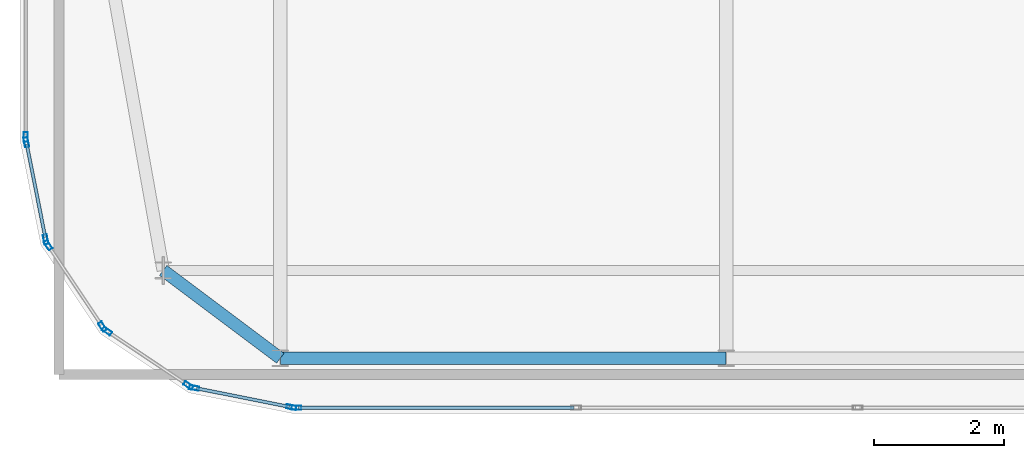
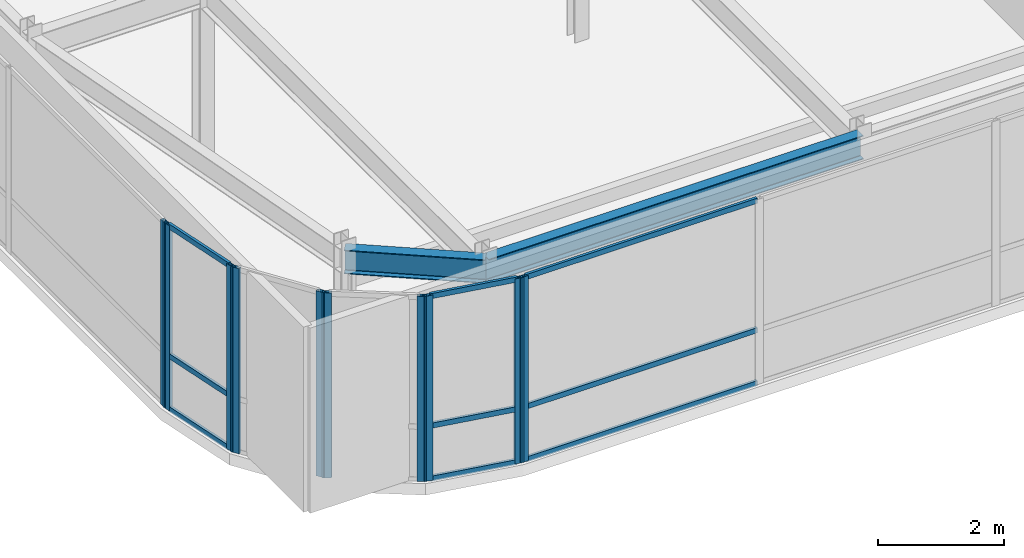
# One storey, part 5 of 36: 19 members, 2 beams, 6 elements without a shape of their own.
"""IFC4 building model written with IfcOpenShell, lengths in metres."""

from ifc_helpers import new_model, si_unit, direction, frame, origin, origin_2d, place, context, subcontext, project, spatial, hollow_rectangle, i_section, extrude, source, transform, mapped, material, layer, layer_set, material_profile, profile_set, type_object, type_shapes, element, aggregate, save


model = new_model("IFC4")

# Units and contexts
model_context = context("Model", 3, precision=1e-05, world=origin(), true_north=direction((0.0, 1.0)))
body_context = subcontext(model_context, "Body", "Model", "MODEL_VIEW")
ifc_project = project(units=[si_unit("LENGTHUNIT", "METRE"), si_unit("AREAUNIT", "SQUARE_METRE"), si_unit("VOLUMEUNIT", "CUBIC_METRE"), si_unit("PLANEANGLEUNIT", "RADIAN"), si_unit("MASSUNIT", "GRAM", prefix="KILO")], contexts=[model_context])

# Site, building, storey
site_placement = place(None, origin())
site = spatial("IfcSite", under=ifc_project, at=site_placement, CompositionType="ELEMENT")
building_placement = place(site_placement, origin())
building = spatial("IfcBuilding", under=site, at=building_placement, Name="Tolvann Quenvar Hotel", CompositionType="ELEMENT")
storey_placement = place(building_placement, frame((0.0, 0.0, 298.550048828125)))
storey = spatial("IfcBuildingStorey", under=building, at=storey_placement, Name="L79", CompositionType="ELEMENT", Elevation=298.550048828125)

# Beams
ifc_material_1 = material(Name="Steel Grade 350", Category="steel")
ifc_material_profile_1 = material_profile(ifc_material_1, i_section(OverallWidth=0.19091796875, OverallDepth=0.4599609375, WebThickness=0.010009765625, FlangeThickness=0.01611328125, FilletRadius=0.011474609375, at=origin_2d()), Name="460UB82")
ifc_profile_set_1 = profile_set([ifc_material_profile_1], Name="Steel Grade 350")
beam_type = type_object("IfcBeamType", Name="BM_SPAND_460UB82", PredefinedType="SPANDREL", material=ifc_profile_set_1)
shared_shape_1 = source(origin(), body_context, "Body", "SweptSolid", [
    extrude(i_section(OverallWidth=0.19091796875, OverallDepth=0.4599609375, WebThickness=0.010009765625, FlangeThickness=0.01611328125, FilletRadius=0.011474609375, at=origin_2d()), origin(), (0.0, 0.0, 1.0), 6.849853515625),
])
beam_1_placement = place(storey_placement, frame((7.60009765625, 7.050048828125, 3.349853515625), z_axis=(1.0, 0.0, 0.0), x_axis=(0.0, 1.0, 0.0)))
element("IfcBeam", 1, at=beam_1_placement, inside=storey, type_object=beam_type, Name="BM-L79-EW-2-C2-D2", PredefinedType="SPANDREL", context=body_context, shape_type="MappedRepresentation", body=[
    mapped(shared_shape_1, transform((0.0, 0.0, 0.0), x_axis=(1.0, 0.0, 0.0), y_axis=(0.0, 1.0, 0.0), z_axis=(0.0, 0.0, 1.0), scale=1.0)),
])
shared_shape_2 = source(origin(), body_context, "Body", "SweptSolid", [
    extrude(i_section(OverallWidth=0.19091796875, OverallDepth=0.4599609375, WebThickness=0.010009765625, FlangeThickness=0.01611328125, FilletRadius=0.011474609375, at=origin_2d()), origin(), (0.0, 0.0, 1.0), 2.25),
])
type_shapes(beam_type, [shared_shape_1, shared_shape_2])
beam_2_placement = place(storey_placement, frame((5.800048828125, 8.39990234375, 3.349853515625), z_axis=(0.800039061652, -0.599947914265, 0.0), x_axis=(0.599947914265, 0.800039061652, 0.0)))
element("IfcBeam", 2, at=beam_2_placement, inside=storey, type_object=beam_type, Name="BM-L79-EW-2-B2-C2", PredefinedType="SPANDREL", context=body_context, shape_type="MappedRepresentation", body=[
    mapped(shared_shape_2, transform((0.0, 0.0, 0.0), x_axis=(1.0, 0.0, 0.0), y_axis=(0.0, 1.0, 0.0), z_axis=(0.0, 0.0, 1.0), scale=1.0)),
])

# Curtain wall, members
ifc_material_2 = material(Name="Thermally broken anodised architectural aluminium 6063-T6 and laminated low-E glass", Category="aluminium")
ifc_layer = layer(ifc_material_2, 0.179931640625)
ifc_layer_set = layer_set([ifc_layer], Name="Thermally broken anodised architectural aluminium 6063-T6 and laminated low-E glass")
curtain_wall_type = type_object("IfcCurtainWallType", Name="CW_SYS_LANT_06", PredefinedType="USERDEFINED", material=ifc_layer_set)
curtain_wall_1_placement = place(storey_placement, origin())
curtain_wall_1 = element("IfcCurtainWall", 3, at=curtain_wall_1_placement, inside=storey, type_object=curtain_wall_type, Name="Curtain Wall CW-LANT-06 (CWR-L79-E03)", ObjectType="UNITISED CURTAIN WALL", PredefinedType="USERDEFINED")
ifc_material_3 = material(Name="Anodised architectural aluminium 6063-T6 framing", Category="aluminium")
ifc_material_profile_2 = material_profile(ifc_material_3, hollow_rectangle(XDim=0.050048828125, YDim=0.10009765625, WallThickness=0.0029296875, at=origin_2d()), Name="100x50x3RHS")
ifc_profile_set_2 = profile_set([ifc_material_profile_2], Name="Anodised architectural aluminium 6063-T6 framing")
member_type_1 = type_object("IfcMemberType", Name="CW_TRAN_100x50", PredefinedType="USERDEFINED", material=ifc_profile_set_2)
shared_shape_3 = source(origin(), body_context, "Body", "SweptSolid", [
    extrude(hollow_rectangle(XDim=0.050048828125, YDim=0.10009765625, WallThickness=0.0029296875, at=origin_2d()), origin(), (0.0, 0.0, 1.0), 1.456787109375),
])
member_1_placement = place(storey_placement, frame((6.30810546875, 6.58837890625, 0.02490234375), z_axis=(0.980786408364, -0.195084651288, 0.0), x_axis=(0.195084651288, 0.980786408364, 0.0)))
member_1 = element("IfcMember", 4, at=member_1_placement, type_object=member_type_1, Name="CW-LANT-06 transom 1.1", ObjectType="TRANSOM", PredefinedType="USERDEFINED", context=body_context, shape_type="MappedRepresentation", body=[
    mapped(shared_shape_3, transform((0.0, 0.0, 0.0), x_axis=(1.0, 0.0, 0.0), y_axis=(0.0, 1.0, 0.0), z_axis=(0.0, 0.0, 1.0), scale=1.0)),
])
member_2_placement = place(storey_placement, frame((6.30810546875, 6.58837890625, 1.050048828125), z_axis=(0.980786408364, -0.195084651288, 0.0), x_axis=(0.195084651288, 0.980786408364, 0.0)))
member_2 = element("IfcMember", 5, at=member_2_placement, type_object=member_type_1, Name="CW-LANT-06 transom 1.2", ObjectType="TRANSOM", PredefinedType="USERDEFINED", context=body_context, shape_type="MappedRepresentation", body=[
    mapped(shared_shape_3, transform((0.0, 0.0, 0.0), x_axis=(1.0, 0.0, 0.0), y_axis=(0.0, 1.0, 0.0), z_axis=(0.0, 0.0, 1.0), scale=1.0)),
])
member_3_placement = place(storey_placement, frame((6.30810546875, 6.58837890625, 3.554931640625), z_axis=(0.980786408364, -0.195084651288, 0.0), x_axis=(0.195084651288, 0.980786408364, 0.0)))
member_3 = element("IfcMember", 6, at=member_3_placement, type_object=member_type_1, Name="CW-LANT-06 transom 1.3", ObjectType="TRANSOM", PredefinedType="USERDEFINED", context=body_context, shape_type="MappedRepresentation", body=[
    mapped(shared_shape_3, transform((0.0, 0.0, 0.0), x_axis=(1.0, 0.0, 0.0), y_axis=(0.0, 1.0, 0.0), z_axis=(0.0, 0.0, 1.0), scale=1.0)),
])

curtain_wall_2_placement = place(storey_placement, origin())
curtain_wall_2 = element("IfcCurtainWall", 7, at=curtain_wall_2_placement, inside=storey, type_object=curtain_wall_type, Name="Curtain Wall CW-LANT-06 (CWR-L79-E20)", ObjectType="UNITISED CURTAIN WALL", PredefinedType="USERDEFINED")
member_4_placement = place(storey_placement, frame((3.704345703125, 10.3369140625, 0.02490234375), z_axis=(0.195084651288, -0.980786408364, 0.0), x_axis=(0.980786408364, 0.195084651288, 0.0)))
member_4 = element("IfcMember", 8, at=member_4_placement, type_object=member_type_1, Name="CW-LANT-06 transom 1.1", ObjectType="TRANSOM", PredefinedType="USERDEFINED", context=body_context, shape_type="MappedRepresentation", body=[
    mapped(shared_shape_3, transform((0.0, 0.0, 0.0), x_axis=(1.0, 0.0, 0.0), y_axis=(0.0, 1.0, 0.0), z_axis=(0.0, 0.0, 1.0), scale=1.0)),
])
member_5_placement = place(storey_placement, frame((3.704345703125, 10.3369140625, 1.050048828125), z_axis=(0.195084651288, -0.980786408364, 0.0), x_axis=(0.980786408364, 0.195084651288, 0.0)))
member_5 = element("IfcMember", 9, at=member_5_placement, type_object=member_type_1, Name="CW-LANT-06 transom 1.2", ObjectType="TRANSOM", PredefinedType="USERDEFINED", context=body_context, shape_type="MappedRepresentation", body=[
    mapped(shared_shape_3, transform((0.0, 0.0, 0.0), x_axis=(1.0, 0.0, 0.0), y_axis=(0.0, 1.0, 0.0), z_axis=(0.0, 0.0, 1.0), scale=1.0)),
])
member_6_placement = place(storey_placement, frame((3.704345703125, 10.3369140625, 3.554931640625), z_axis=(0.195084651288, -0.980786408364, 0.0), x_axis=(0.980786408364, 0.195084651288, 0.0)))
member_6 = element("IfcMember", 10, at=member_6_placement, type_object=member_type_1, Name="CW-LANT-06 transom 1.3", ObjectType="TRANSOM", PredefinedType="USERDEFINED", context=body_context, shape_type="MappedRepresentation", body=[
    mapped(shared_shape_3, transform((0.0, 0.0, 0.0), x_axis=(1.0, 0.0, 0.0), y_axis=(0.0, 1.0, 0.0), z_axis=(0.0, 0.0, 1.0), scale=1.0)),
])

curtain_wall_3_placement = place(storey_placement, origin())
curtain_wall_3 = element("IfcCurtainWall", 11, at=curtain_wall_3_placement, inside=storey, type_object=curtain_wall_type, Name="Curtain Wall CW-LANT-06 (CWR-L79-E04)", ObjectType="UNITISED CURTAIN WALL", PredefinedType="USERDEFINED")
shared_shape_4 = source(origin(), body_context, "Body", "SweptSolid", [
    extrude(hollow_rectangle(XDim=0.050048828125, YDim=0.10009765625, WallThickness=0.0029296875, at=origin_2d()), origin(), (0.0, 0.0, 1.0), 4.230224609375),
])
type_shapes(member_type_1, [shared_shape_3, shared_shape_4])
member_7_placement = place(storey_placement, frame((7.882080078125, 6.2900390625, 0.02490234375), z_axis=(1.0, 0.0, 0.0), x_axis=(0.0, 1.0, 0.0)))
member_7 = element("IfcMember", 12, at=member_7_placement, type_object=member_type_1, Name="CW-LANT-06 transom 1.1", ObjectType="TRANSOM", PredefinedType="USERDEFINED", context=body_context, shape_type="MappedRepresentation", body=[
    mapped(shared_shape_4, transform((0.0, 0.0, 0.0), x_axis=(1.0, 0.0, 0.0), y_axis=(0.0, 1.0, 0.0), z_axis=(0.0, 0.0, 1.0), scale=1.0)),
])
member_8_placement = place(storey_placement, frame((7.882080078125, 6.2900390625, 1.050048828125), z_axis=(1.0, 0.0, 0.0), x_axis=(0.0, 1.0, 0.0)))
member_8 = element("IfcMember", 13, at=member_8_placement, type_object=member_type_1, Name="CW-LANT-06 transom 1.2", ObjectType="TRANSOM", PredefinedType="USERDEFINED", context=body_context, shape_type="MappedRepresentation", body=[
    mapped(shared_shape_4, transform((0.0, 0.0, 0.0), x_axis=(1.0, 0.0, 0.0), y_axis=(0.0, 1.0, 0.0), z_axis=(0.0, 0.0, 1.0), scale=1.0)),
])
member_9_placement = place(storey_placement, frame((7.882080078125, 6.2900390625, 3.554931640625), z_axis=(1.0, 0.0, 0.0), x_axis=(0.0, 1.0, 0.0)))
member_9 = element("IfcMember", 14, at=member_9_placement, type_object=member_type_1, Name="CW-LANT-06 transom 1.3", ObjectType="TRANSOM", PredefinedType="USERDEFINED", context=body_context, shape_type="MappedRepresentation", body=[
    mapped(shared_shape_4, transform((0.0, 0.0, 0.0), x_axis=(1.0, 0.0, 0.0), y_axis=(0.0, 1.0, 0.0), z_axis=(0.0, 0.0, 1.0), scale=1.0)),
])

curtain_wall_4_placement = place(storey_placement, origin())
curtain_wall_4 = element("IfcCurtainWall", 15, at=curtain_wall_4_placement, inside=storey, type_object=curtain_wall_type, Name="Curtain Wall CW-LANT-06 (CWR-L79-E01)", ObjectType="UNITISED CURTAIN WALL", PredefinedType="USERDEFINED")
ifc_material_profile_3 = material_profile(ifc_material_3, hollow_rectangle(XDim=0.06494140625, YDim=0.14990234375, WallThickness=0.00390625, at=origin_2d()), Name="150x65x4RHS")
ifc_profile_set_3 = profile_set([ifc_material_profile_3], Name="Anodised architectural aluminium 6063-T6 framing")
member_type_2 = type_object("IfcMemberType", Name="CW_MULL_150x65", PredefinedType="MULLION", material=ifc_profile_set_3)
shared_shape_5 = source(origin(), body_context, "Body", "SweptSolid", [
    extrude(hollow_rectangle(XDim=0.06494140625, YDim=0.14990234375, WallThickness=0.00390625, at=origin_2d()), origin(), (0.0, 0.0, 1.0), 3.579833984375),
])
type_shapes(member_type_2, [shared_shape_5])
member_10_placement = place(storey_placement, frame((4.03173828125, 8.786865234375, 0.0), z_axis=(0.0, 0.0, 1.0), x_axis=(0.831412452193, 0.555655769644, 0.0)))
member_10 = element("IfcMember", 16, at=member_10_placement, type_object=member_type_2, Name="CW-LANT-06 mullion 1", PredefinedType="MULLION", context=body_context, shape_type="MappedRepresentation", body=[
    mapped(shared_shape_5, transform((0.0, 0.0, 0.0), x_axis=(1.0, 0.0, 0.0), y_axis=(0.0, 1.0, 0.0), z_axis=(0.0, 0.0, 1.0), scale=1.0)),
])
member_11_placement = place(storey_placement, frame((4.86767578125, 7.5361328125, 0.0), z_axis=(0.0, 0.0, 1.0), x_axis=(0.831412452193, 0.555655769644, 0.0)))
member_11 = element("IfcMember", 17, at=member_11_placement, type_object=member_type_2, Name="CW-LANT-06 mullion 2", PredefinedType="MULLION", context=body_context, shape_type="MappedRepresentation", body=[
    mapped(shared_shape_5, transform((0.0, 0.0, 0.0), x_axis=(1.0, 0.0, 0.0), y_axis=(0.0, 1.0, 0.0), z_axis=(0.0, 0.0, 1.0), scale=1.0)),
])
aggregate(curtain_wall_4, [member_10, member_11])

curtain_wall_5_placement = place(storey_placement, origin())
curtain_wall_5 = element("IfcCurtainWall", 18, at=curtain_wall_5_placement, inside=storey, type_object=curtain_wall_type, Name="Curtain Wall CW-LANT-06 (CWR-L79-E02)", ObjectType="UNITISED CURTAIN WALL", PredefinedType="USERDEFINED")
member_12_placement = place(storey_placement, frame((4.936279296875, 7.467529296875, 0.0), z_axis=(0.0, 0.0, 1.0), x_axis=(0.555655769644, 0.831412452193, 0.0)))
member_12 = element("IfcMember", 19, at=member_12_placement, type_object=member_type_2, Name="CW-LANT-06 mullion 1", PredefinedType="MULLION", context=body_context, shape_type="MappedRepresentation", body=[
    mapped(shared_shape_5, transform((0.0, 0.0, 0.0), x_axis=(1.0, 0.0, 0.0), y_axis=(0.0, 1.0, 0.0), z_axis=(0.0, 0.0, 1.0), scale=1.0)),
])
member_13_placement = place(storey_placement, frame((6.186767578125, 6.6318359375, 0.0), z_axis=(0.0, 0.0, 1.0), x_axis=(0.555655769644, 0.831412452193, 0.0)))
member_13 = element("IfcMember", 20, at=member_13_placement, type_object=member_type_2, Name="CW-LANT-06 mullion 2", PredefinedType="MULLION", context=body_context, shape_type="MappedRepresentation", body=[
    mapped(shared_shape_5, transform((0.0, 0.0, 0.0), x_axis=(1.0, 0.0, 0.0), y_axis=(0.0, 1.0, 0.0), z_axis=(0.0, 0.0, 1.0), scale=1.0)),
])
aggregate(curtain_wall_5, [member_12, member_13])

# Member
member_14_placement = place(storey_placement, frame((6.2763671875, 6.5947265625, 0.0), z_axis=(0.0, 0.0, 1.0), x_axis=(0.195061569369, 0.980790999222, 0.0)))
member_14 = element("IfcMember", 21, at=member_14_placement, type_object=member_type_2, Name="CW-LANT-06 mullion 1", PredefinedType="MULLION", context=body_context, shape_type="MappedRepresentation", body=[
    mapped(shared_shape_5, transform((0.0, 0.0, 0.0), x_axis=(1.0, 0.0, 0.0), y_axis=(0.0, 1.0, 0.0), z_axis=(0.0, 0.0, 1.0), scale=1.0)),
])

member_15_placement = place(storey_placement, frame((7.768798828125, 6.2978515625, 0.0), z_axis=(0.0, 0.0, 1.0), x_axis=(0.195061569369, 0.980790999222, 0.0)))
member_15 = element("IfcMember", 22, at=member_15_placement, type_object=member_type_2, Name="CW-LANT-06 mullion 2", PredefinedType="MULLION", context=body_context, shape_type="MappedRepresentation", body=[
    mapped(shared_shape_5, transform((0.0, 0.0, 0.0), x_axis=(1.0, 0.0, 0.0), y_axis=(0.0, 1.0, 0.0), z_axis=(0.0, 0.0, 1.0), scale=1.0)),
])

aggregate(curtain_wall_1, [member_14, member_15, member_1, member_2, member_3])

member_16_placement = place(storey_placement, frame((7.849609375, 6.2900390625, 0.0), z_axis=(0.0, 0.0, 1.0), x_axis=(0.0, 1.0, 0.0)))
member_16 = element("IfcMember", 23, at=member_16_placement, type_object=member_type_2, Name="CW-LANT-06 mullion 1", PredefinedType="MULLION", context=body_context, shape_type="MappedRepresentation", body=[
    mapped(shared_shape_5, transform((0.0, 0.0, 0.0), x_axis=(1.0, 0.0, 0.0), y_axis=(0.0, 1.0, 0.0), z_axis=(0.0, 0.0, 1.0), scale=1.0)),
])

aggregate(curtain_wall_3, [member_16, member_7, member_8, member_9])

# Curtain wall, member
curtain_wall_6_placement = place(storey_placement, origin())
curtain_wall_6 = element("IfcCurtainWall", 24, at=curtain_wall_6_placement, inside=storey, type_object=curtain_wall_type, Name="Curtain Wall CW-LANT-06 (CWR-L79-E19)", ObjectType="UNITISED CURTAIN WALL", PredefinedType="USERDEFINED")
member_17_placement = place(storey_placement, frame((3.68994140625, 10.44970703125, 0.0), z_axis=(0.0, 0.0, 1.0), x_axis=(1.0, 0.0, 0.0)))
member_17 = element("IfcMember", 25, at=member_17_placement, type_object=member_type_2, Name="CW-LANT-06 mullion 7", PredefinedType="MULLION", context=body_context, shape_type="MappedRepresentation", body=[
    mapped(shared_shape_5, transform((0.0, 0.0, 0.0), x_axis=(1.0, 0.0, 0.0), y_axis=(0.0, 1.0, 0.0), z_axis=(0.0, 0.0, 1.0), scale=1.0)),
])
aggregate(curtain_wall_6, [member_17])

# Member
member_18_placement = place(storey_placement, frame((3.697998046875, 10.36865234375, 0.0), z_axis=(0.0, 0.0, 1.0), x_axis=(0.980790999222, 0.195061569369, 0.0)))
member_18 = element("IfcMember", 26, at=member_18_placement, type_object=member_type_2, Name="CW-LANT-06 mullion 1", PredefinedType="MULLION", context=body_context, shape_type="MappedRepresentation", body=[
    mapped(shared_shape_5, transform((0.0, 0.0, 0.0), x_axis=(1.0, 0.0, 0.0), y_axis=(0.0, 1.0, 0.0), z_axis=(0.0, 0.0, 1.0), scale=1.0)),
])

member_19_placement = place(storey_placement, frame((3.994873046875, 8.876220703125, 0.0), z_axis=(0.0, 0.0, 1.0), x_axis=(0.980790999222, 0.195061569369, 0.0)))
member_19 = element("IfcMember", 27, at=member_19_placement, type_object=member_type_2, Name="CW-LANT-06 mullion 2", PredefinedType="MULLION", context=body_context, shape_type="MappedRepresentation", body=[
    mapped(shared_shape_5, transform((0.0, 0.0, 0.0), x_axis=(1.0, 0.0, 0.0), y_axis=(0.0, 1.0, 0.0), z_axis=(0.0, 0.0, 1.0), scale=1.0)),
])

aggregate(curtain_wall_2, [member_18, member_19, member_4, member_5, member_6])

save(model, "model.ifc")
